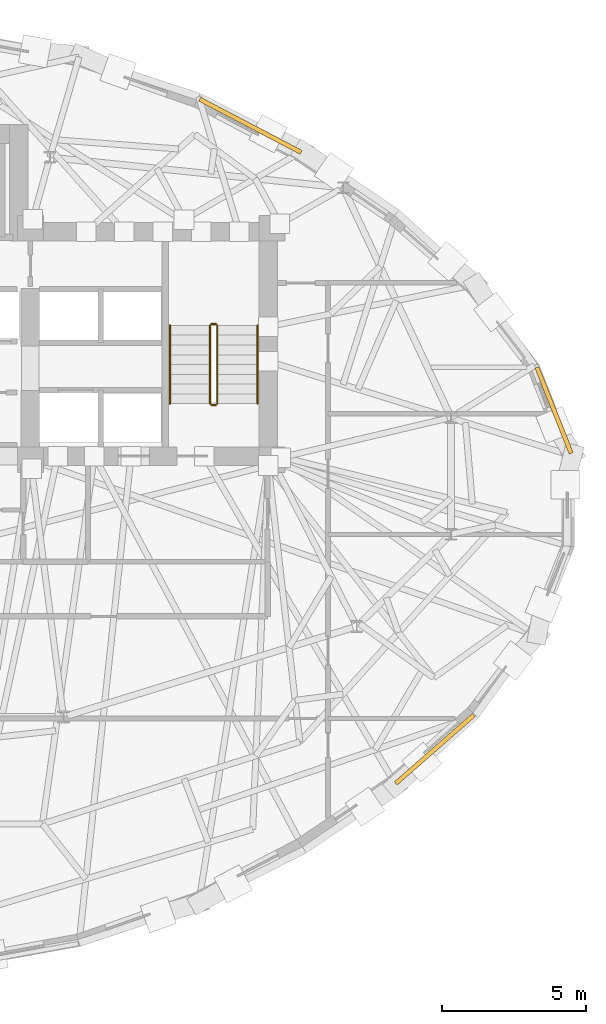
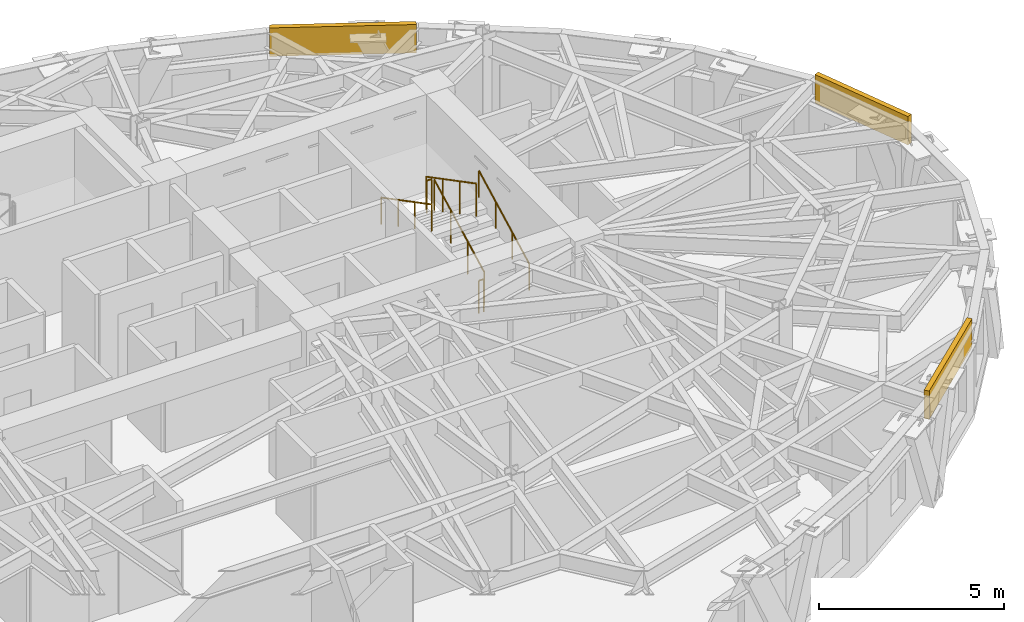
# One storey, part 14 of 15: 6 railings, 3 coverings.
"""IFC4 building model written with IfcOpenShell, lengths in metres."""

from ifc_helpers import new_model, si_unit, direction, frame, origin, origin_2d, place, context, subcontext, project, spatial, rectangle, circle, extrude, material, layer, layer_set, type_object, element, save


model = new_model("IFC4")

# Units and contexts
model_context = context("Model", 3, precision=1e-05, world=origin(), true_north=direction((0.0, 1.0)))
body_context = subcontext(model_context, "Body", "Model", "MODEL_VIEW")
ifc_project = project(units=[si_unit("LENGTHUNIT", "METRE"), si_unit("AREAUNIT", "SQUARE_METRE"), si_unit("VOLUMEUNIT", "CUBIC_METRE"), si_unit("PLANEANGLEUNIT", "RADIAN"), si_unit("MASSUNIT", "GRAM", prefix="KILO")], contexts=[model_context])

# Site, building, storey
site_placement = place(None, origin())
site = spatial("IfcSite", under=ifc_project, at=site_placement, CompositionType="ELEMENT")
building_placement = place(site_placement, origin())
building = spatial("IfcBuilding", under=site, at=building_placement, Name="Keldmark Tower", CompositionType="ELEMENT")
storey_placement = place(building_placement, frame((0.0, 0.0, 195.0)))
storey = spatial("IfcBuildingStorey", under=building, at=storey_placement, Name="L54", CompositionType="ELEMENT", Elevation=195.0)

# Coverings
ifc_material_1 = material(Name="Honed Kasota Buff Dolomitic Limestone", Category="masonry")
ifc_layer = layer(ifc_material_1, 0.074951171875)
ifc_layer_set = layer_set([ifc_layer], Name="Honed Kasota Buff Dolomitic Limestone")
covering_type = type_object("IfcCoveringType", Name="Kasota Buff Limestone Spandrel Cladding Band", PredefinedType="CLADDING", material=ifc_layer_set)
covering_1_placement = place(storey_placement, frame((23.41064453125, 3.119384765625, 2.239013671875), z_axis=(0.0, 0.0, 1.0), x_axis=(-0.369649456711, 0.929171286229, 0.0)))
element("IfcCovering", 1, at=covering_1_placement, inside=storey, type_object=covering_type, Name="L54 Kasota Limestone Spandrel Band 01", PredefinedType="CLADDING", context=body_context, shape_type="SweptSolid", body=[
    extrude(rectangle(XDim=3.213623046875, YDim=0.14990234375, at=origin_2d()), origin(), (0.0, 0.0, 1.0), 0.94091796875),
])
covering_2_placement = place(storey_placement, frame((12.85205078125, 13.013427734375, 2.239013671875), z_axis=(0.0, 0.0, 1.0), x_axis=(-0.885685519837, 0.464285644783, 0.0)))
element("IfcCovering", 2, at=covering_2_placement, inside=storey, type_object=covering_type, Name="L54 Kasota Limestone Spandrel Band 05", PredefinedType="CLADDING", context=body_context, shape_type="SweptSolid", body=[
    extrude(rectangle(XDim=3.980224609375, YDim=0.14990234375, at=origin_2d()), origin(), (0.0, 0.0, 1.0), 0.94091796875),
])
covering_3_placement = place(storey_placement, frame((19.266357421875, -8.6650390625, 2.239013671875), z_axis=(0.0, 0.0, 1.0), x_axis=(0.751908849889, 0.659267079004, 0.0)))
element("IfcCovering", 3, at=covering_3_placement, inside=storey, type_object=covering_type, Name="L54 Kasota Limestone Spandrel Band 29", PredefinedType="CLADDING", context=body_context, shape_type="SweptSolid", body=[
    extrude(rectangle(XDim=3.614501953125, YDim=0.14990234375, at=origin_2d()), origin(), (0.0, 0.0, 1.0), 0.94091796875),
])

# Railings
ifc_material_2 = material(Name="Painted Steel ASTM A500 Grade B", Category="steel")
railing_type_1 = type_object("IfcRailingType", Name="Painted Steel Stair Well Guard 1100 mm", PredefinedType="GUARDRAIL", material=ifc_material_2)
railing_1_placement = place(storey_placement, frame((11.699951171875, 3.35009765625, 0.177734375)))
element("IfcRailing", 4, at=railing_1_placement, inside=storey, type_object=railing_type_1, Name="L54 ST2 stair guard 1", PredefinedType="GUARDRAIL", context=body_context, shape_type="SweptSolid", body=[
    extrude(circle(Radius=0.02392578125, at=origin_2d()), frame((0.0, 0.0, 1.076171875), z_axis=(0.0, 0.886150474775, 0.463397600399), x_axis=(-1.0, 0.0, 0.0)), (0.0, 0.0, 1.0), 3.0693359375),
    extrude(circle(Radius=0.02099609375, at=origin_2d()), origin(), (0.0, 0.0, 1.0), 1.052001953125),
    extrude(circle(Radius=0.02099609375, at=origin_2d()), frame((0.0, 0.90673828125, 0.47412109375)), (0.0, 0.0, 1.0), 1.052001953125),
    extrude(circle(Radius=0.02099609375, at=origin_2d()), frame((0.0, 1.813232421875, 0.9482421875)), (0.0, 0.0, 1.0), 1.052001953125),
    extrude(circle(Radius=0.02099609375, at=origin_2d()), frame((0.0, 2.719970703125, 1.42236328125)), (0.0, 0.0, 1.0), 1.052001953125),
])
railing_2_placement = place(storey_placement, frame((11.64990234375, 6.1201171875, 1.60009765625)))
element("IfcRailing", 5, at=railing_2_placement, inside=storey, type_object=railing_type_1, Name="L54 ST2 stair guard 2", PredefinedType="GUARDRAIL", context=body_context, shape_type="SweptSolid", body=[
    extrude(circle(Radius=0.02392578125, at=origin_2d()), frame((0.0, 0.0, 1.076171875), z_axis=(-1.0, 0.0, 0.0), x_axis=(0.0, -1.0, 0.0)), (0.0, 0.0, 1.0), 0.14990234375),
    extrude(circle(Radius=0.02099609375, at=origin_2d()), origin(), (0.0, 0.0, 1.0), 1.052001953125),
    extrude(circle(Radius=0.02099609375, at=origin_2d()), frame((-0.14990234375, 0.0, 0.0)), (0.0, 0.0, 1.0), 1.052001953125),
])
railing_3_placement = place(storey_placement, frame((11.449951171875, 6.070068359375, 1.77783203125)))
element("IfcRailing", 6, at=railing_3_placement, inside=storey, type_object=railing_type_1, Name="L54 ST2 stair guard 3", PredefinedType="GUARDRAIL", context=body_context, shape_type="SweptSolid", body=[
    extrude(circle(Radius=0.02392578125, at=origin_2d()), frame((0.0, 0.0, 1.076171875), z_axis=(0.0, -0.886183135912, 0.463335137482), x_axis=(1.0, 0.0, 0.0)), (0.0, 0.0, 1.0), 3.0693359375),
    extrude(circle(Radius=0.02099609375, at=origin_2d()), origin(), (0.0, 0.0, 1.0), 1.052001953125),
    extrude(circle(Radius=0.02099609375, at=origin_2d()), frame((0.0, -0.90673828125, 0.47412109375)), (0.0, 0.0, 1.0), 1.052001953125),
    extrude(circle(Radius=0.02099609375, at=origin_2d()), frame((0.0, -1.813232421875, 0.947998046875)), (0.0, 0.0, 1.0), 1.052001953125),
    extrude(circle(Radius=0.02099609375, at=origin_2d()), frame((0.0, -2.719970703125, 1.422119140625)), (0.0, 0.0, 1.0), 1.052001953125),
])
railing_4_placement = place(storey_placement, frame((11.64990234375, 3.300048828125, 0.0)))
element("IfcRailing", 7, at=railing_4_placement, inside=storey, type_object=railing_type_1, Name="L54 ST2 stair guard 4", PredefinedType="GUARDRAIL", context=body_context, shape_type="SweptSolid", body=[
    extrude(circle(Radius=0.02392578125, at=origin_2d()), frame((0.0, 0.0, 1.076171875), z_axis=(-1.0, 0.0, 0.0), x_axis=(0.0, -1.0, 0.0)), (0.0, 0.0, 1.0), 0.14990234375),
    extrude(circle(Radius=0.02099609375, at=origin_2d()), origin(), (0.0, 0.0, 1.0), 1.052001953125),
    extrude(circle(Radius=0.02099609375, at=origin_2d()), frame((-0.14990234375, 0.0, 0.0)), (0.0, 0.0, 1.0), 1.052001953125),
])
ifc_material_3 = material(Name="Stainless Steel AISI 316L", Category="steel")
railing_type_2 = type_object("IfcRailingType", Name="Stainless Steel Stair Handrail 900 mm", PredefinedType="HANDRAIL", material=ifc_material_3)
railing_5_placement = place(storey_placement, frame((13.10009765625, 3.35009765625, 0.177734375)))
element("IfcRailing", 8, at=railing_5_placement, inside=storey, type_object=railing_type_2, Name="L54 ST2 stair handrail 1", PredefinedType="HANDRAIL", context=body_context, shape_type="SweptSolid", body=[
    extrude(circle(Radius=0.02392578125, at=origin_2d()), frame((0.0, 0.0, 0.8759765625), z_axis=(0.0, 0.886150474775, 0.463397600399), x_axis=(-1.0, 0.0, 0.0)), (0.0, 0.0, 1.0), 3.0693359375),
    extrude(circle(Radius=0.02099609375, at=origin_2d()), origin(), (0.0, 0.0, 1.0), 0.851806640625),
    extrude(circle(Radius=0.02099609375, at=origin_2d()), frame((0.0, 0.90673828125, 0.47412109375)), (0.0, 0.0, 1.0), 0.851806640625),
    extrude(circle(Radius=0.02099609375, at=origin_2d()), frame((0.0, 1.813232421875, 0.9482421875)), (0.0, 0.0, 1.0), 0.851806640625),
    extrude(circle(Radius=0.02099609375, at=origin_2d()), frame((0.0, 2.719970703125, 1.42236328125)), (0.0, 0.0, 1.0), 0.851806640625),
])
railing_6_placement = place(storey_placement, frame((10.050048828125, 6.070068359375, 1.77783203125)))
element("IfcRailing", 9, at=railing_6_placement, inside=storey, type_object=railing_type_2, Name="L54 ST2 stair handrail 2", PredefinedType="HANDRAIL", context=body_context, shape_type="SweptSolid", body=[
    extrude(circle(Radius=0.02392578125, at=origin_2d()), frame((0.0, 0.0, 0.8759765625), z_axis=(0.0, -0.886183135912, 0.463335137482), x_axis=(1.0, 0.0, 0.0)), (0.0, 0.0, 1.0), 3.0693359375),
    extrude(circle(Radius=0.02099609375, at=origin_2d()), origin(), (0.0, 0.0, 1.0), 0.851806640625),
    extrude(circle(Radius=0.02099609375, at=origin_2d()), frame((0.0, -0.90673828125, 0.47412109375)), (0.0, 0.0, 1.0), 0.851806640625),
    extrude(circle(Radius=0.02099609375, at=origin_2d()), frame((0.0, -1.813232421875, 0.947998046875)), (0.0, 0.0, 1.0), 0.851806640625),
    extrude(circle(Radius=0.02099609375, at=origin_2d()), frame((0.0, -2.719970703125, 1.422119140625)), (0.0, 0.0, 1.0), 0.851806640625),
])

save(model, "model.ifc")
